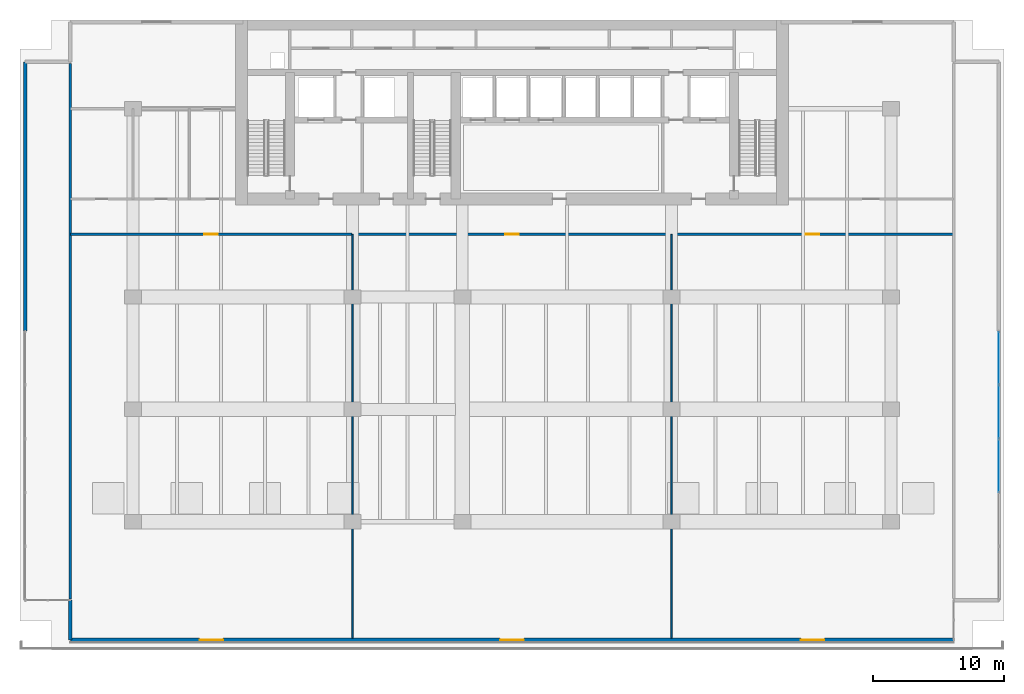
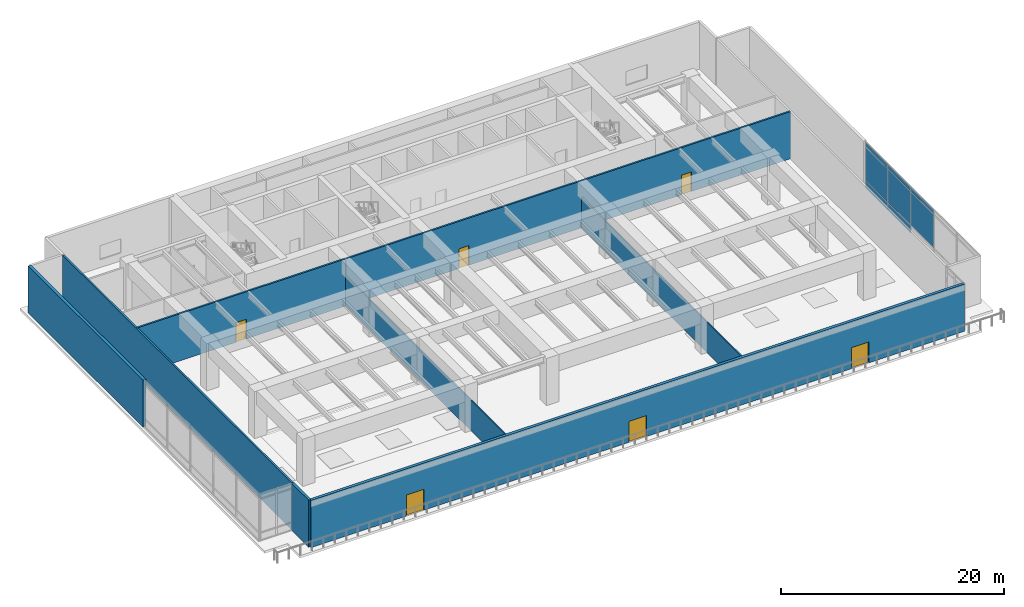
# One storey, part 6 of 12: 8 plates, 8 walls, 6 doors, 6 openings, 1 element without a shape of its own.
"""IFC4 building model written with IfcOpenShell, lengths in metres."""

from ifc_helpers import new_model, si_unit, direction, frame, frame_2d, origin, origin_2d, place, context, subcontext, project, spatial, rectangle, extrude, material, layer, layer_set, type_object, element, fill, aggregate, save


model = new_model("IFC4")

# Units and contexts
model_context = context("Model", 3, precision=1e-05, world=origin(), true_north=direction((0.0, 1.0)))
body_context = subcontext(model_context, "Body", "Model", "MODEL_VIEW")
ifc_project = project(units=[si_unit("LENGTHUNIT", "METRE"), si_unit("AREAUNIT", "SQUARE_METRE"), si_unit("VOLUMEUNIT", "CUBIC_METRE"), si_unit("PLANEANGLEUNIT", "RADIAN"), si_unit("MASSUNIT", "GRAM", prefix="KILO")], contexts=[model_context])

# Site, building, storey
site_placement = place(None, origin())
site = spatial("IfcSite", under=ifc_project, at=site_placement, CompositionType="ELEMENT")
building_placement = place(site_placement, origin())
building = spatial("IfcBuilding", under=site, at=building_placement, Name="Caelmar Bay Residences", CompositionType="ELEMENT")
storey_placement = place(building_placement, frame((0.0, 0.0, 24.60009765625)))
storey = spatial("IfcBuildingStorey", under=building, at=storey_placement, Name="L05", CompositionType="ELEMENT", Elevation=24.60009765625)

# Curtain wall, plates
ifc_material_1 = material(Name="Anodised bronze aluminium 6063-T6 and laminated glass", Category="aluminium")
ifc_layer_1 = layer(ifc_material_1, 0.179931640625)
ifc_layer_set_1 = layer_set([ifc_layer_1], Name="Anodised bronze aluminium 6063-T6 and laminated glass")
curtain_wall_type = type_object("IfcCurtainWallType", Name="CW1-POD", PredefinedType="NOTDEFINED", material=ifc_layer_set_1)
curtain_wall_placement = place(storey_placement, origin())
curtain_wall = element("IfcCurtainWall", 1, at=curtain_wall_placement, inside=storey, type_object=curtain_wall_type, Name="CW1 curtain wall L05", PredefinedType="NOTDEFINED")
ifc_material_2 = material(Name="Bronze-tinted laminated low-E hurricane glass 32 mm", Category="glass")
ifc_layer_2 = layer(ifc_material_2, 0.031982421875)
ifc_layer_set_2 = layer_set([ifc_layer_2], Name="Bronze-tinted laminated low-E hurricane glass 32 mm")
plate_type = type_object("IfcPlateType", Name="CWP-GLZ32", PredefinedType="CURTAIN_PANEL", material=ifc_layer_set_2)
plate_1_placement = place(storey_placement, frame((76.14990234375, 24.719970703125, 0.080078125), z_axis=(0.0, 0.0, 1.0), x_axis=(0.0, -1.0, 0.0)))
plate_1 = element("IfcPlate", 2, at=plate_1_placement, type_object=plate_type, Name="CW1 panel 1.1", PredefinedType="CURTAIN_PANEL", context=body_context, shape_type="SweptSolid", body=[
    extrude(rectangle(XDim=4.0, YDim=0.031982421875, at=origin_2d()), origin(), (0.0, 0.0, 1.0), 0.780029296875),
])
plate_2_placement = place(storey_placement, frame((76.14990234375, 24.719970703125, 0.93994140625), z_axis=(0.0, 0.0, 1.0), x_axis=(0.0, -1.0, 0.0)))
plate_2 = element("IfcPlate", 3, at=plate_2_placement, type_object=plate_type, Name="CW1 panel 1.2", PredefinedType="CURTAIN_PANEL", context=body_context, shape_type="SweptSolid", body=[
    extrude(rectangle(XDim=4.0, YDim=0.031982421875, at=origin_2d()), origin(), (0.0, 0.0, 1.0), 3.6201171875),
])
plate_3_placement = place(storey_placement, frame((76.14990234375, 24.719970703125, 4.64013671875), z_axis=(0.0, 0.0, 1.0), x_axis=(0.0, -1.0, 0.0)))
plate_3 = element("IfcPlate", 4, at=plate_3_placement, type_object=plate_type, Name="CW1 panel 1.3", PredefinedType="CURTAIN_PANEL", context=body_context, shape_type="SweptSolid", body=[
    extrude(rectangle(XDim=4.0, YDim=0.031982421875, at=origin_2d()), origin(), (0.0, 0.0, 1.0), 0.429931640625),
])
plate_4_placement = place(storey_placement, frame((76.14990234375, 20.6201171875, 0.080078125), z_axis=(0.0, 0.0, 1.0), x_axis=(0.0, -1.0, 0.0)))
plate_4 = element("IfcPlate", 5, at=plate_4_placement, type_object=plate_type, Name="CW1 panel 2.1", PredefinedType="CURTAIN_PANEL", context=body_context, shape_type="SweptSolid", body=[
    extrude(rectangle(XDim=4.0400390625, YDim=0.031982421875, at=origin_2d()), origin(), (0.0, 0.0, 1.0), 0.780029296875),
])
plate_5_placement = place(storey_placement, frame((76.14990234375, 20.6201171875, 0.93994140625), z_axis=(0.0, 0.0, 1.0), x_axis=(0.0, -1.0, 0.0)))
plate_5 = element("IfcPlate", 6, at=plate_5_placement, type_object=plate_type, Name="CW1 panel 2.2", PredefinedType="CURTAIN_PANEL", context=body_context, shape_type="SweptSolid", body=[
    extrude(rectangle(XDim=4.0400390625, YDim=0.031982421875, at=origin_2d()), origin(), (0.0, 0.0, 1.0), 3.6201171875),
])
plate_6_placement = place(storey_placement, frame((76.14990234375, 20.6201171875, 4.64013671875), z_axis=(0.0, 0.0, 1.0), x_axis=(0.0, -1.0, 0.0)))
plate_6 = element("IfcPlate", 7, at=plate_6_placement, type_object=plate_type, Name="CW1 panel 2.3", PredefinedType="CURTAIN_PANEL", context=body_context, shape_type="SweptSolid", body=[
    extrude(rectangle(XDim=4.0400390625, YDim=0.031982421875, at=origin_2d()), origin(), (0.0, 0.0, 1.0), 0.429931640625),
])
plate_7_placement = place(storey_placement, frame((76.14990234375, 16.5, 0.93994140625), z_axis=(0.0, 0.0, 1.0), x_axis=(0.0, -1.0, 0.0)))
plate_7 = element("IfcPlate", 8, at=plate_7_placement, type_object=plate_type, Name="CW1 panel 3.2", PredefinedType="CURTAIN_PANEL", context=body_context, shape_type="SweptSolid", body=[
    extrude(rectangle(XDim=4.0400390625, YDim=0.031982421875, at=origin_2d()), origin(), (0.0, 0.0, 1.0), 3.6201171875),
])
plate_8_placement = place(storey_placement, frame((76.14990234375, 16.5, 4.64013671875), z_axis=(0.0, 0.0, 1.0), x_axis=(0.0, -1.0, 0.0)))
plate_8 = element("IfcPlate", 9, at=plate_8_placement, type_object=plate_type, Name="CW1 panel 3.3", PredefinedType="CURTAIN_PANEL", context=body_context, shape_type="SweptSolid", body=[
    extrude(rectangle(XDim=4.0400390625, YDim=0.031982421875, at=origin_2d()), origin(), (0.0, 0.0, 1.0), 0.429931640625),
])
aggregate(curtain_wall, [plate_1, plate_2, plate_3, plate_4, plate_5, plate_6, plate_7, plate_8])

# Wall
ifc_material_3 = material(Name="Double-stud acoustic fire-rated gypsum partition 180 mm")
ifc_layer_3 = layer(ifc_material_3, 0.179931640625)
ifc_layer_set_3 = layer_set([ifc_layer_3], Name="Double-stud acoustic fire-rated gypsum partition 180 mm")
wall_type_1 = type_object("IfcWallType", Name="W-COR-200", PredefinedType="PARTITIONING", material=ifc_layer_set_3)
wall_1_placement = place(storey_placement, frame((5.10009765625, 6.284912109375, 0.0), z_axis=(0.0, 0.0, 1.0), x_axis=(0.0, 1.0, 0.0)))
element("IfcWall", 10, at=wall_1_placement, inside=storey, type_object=wall_type_1, Name="L05 Partition Wall V001", PredefinedType="PARTITIONING", context=body_context, shape_type="SweptSolid", body=[
    extrude(rectangle(XDim=40.9951171875, YDim=0.179931640625, at=frame_2d((20.49755859375, 0.0))), origin(), (0.0, 0.0, 1.0), 5.14990234375),
])

# Wall, opening, door
wall_2_placement = place(storey_placement, frame((5.10009765625, 34.199951171875, 0.0), z_axis=(0.0, 0.0, 1.0), x_axis=(1.0, 0.0, 0.0)))
wall_2 = element("IfcWall", 11, at=wall_2_placement, inside=storey, type_object=wall_type_1, Name="L05 Partition Wall H025", PredefinedType="PARTITIONING", context=body_context, shape_type="SweptSolid", body=[
    extrude(rectangle(XDim=21.5498046875, YDim=0.179931640625, at=frame_2d((10.77490234375, 0.0))), origin(), (0.0, 0.0, 1.0), 5.14990234375),
])
opening_1_placement = place(wall_2_placement, frame((10.25, 0.0, 0.0)))
opening_1 = element("IfcOpeningElement", 12, at=opening_1_placement, cuts=wall_2, Name="Opening D-L05-123", PredefinedType="OPENING", context=body_context, shape_type="SweptSolid", body=[
    extrude(rectangle(XDim=1.050048828125, YDim=2.14990234375, at=frame_2d((0.52490234375, 1.074951171875))), frame((0.0, 0.099853515625, 0.0), z_axis=(0.0, -1.0, 0.0), x_axis=(1.0, 0.0, 0.0)), (0.0, 0.0, 1.0), 0.199951171875),
])
ifc_material_4 = material(Name="Fire-rated steel and walnut architectural door assembly", Category="steel")
ifc_layer_4 = layer(ifc_material_4, 0.050048828125)
ifc_layer_set_4 = layer_set([ifc_layer_4], Name="Fire-rated steel and walnut architectural door assembly")
door_type_1 = type_object("IfcDoorType", Name="D-FSAE-1050", OperationType="NOTDEFINED", PredefinedType="DOOR", material=ifc_layer_set_4)
door_1_placement = place(opening_1_placement, origin())
door_1 = element("IfcDoor", 13, at=door_1_placement, inside=storey, type_object=door_type_1, Name="L05 Lap Pool Deck Hall Door", OperationType="SINGLE_SWING_RIGHT", OverallHeight=2.14990234375, OverallWidth=1.050048828125, PredefinedType="DOOR", context=body_context, shape_type="SweptSolid", body=[
    extrude(rectangle(XDim=1.050048828125, YDim=2.14990234375, at=frame_2d((0.52490234375, 1.074951171875))), frame((0.0, 0.02490234375, 0.0), z_axis=(0.0, -1.0, 0.0), x_axis=(1.0, 0.0, 0.0)), (0.0, 0.0, 1.0), 0.050048828125),
])
fill(opening_1, door_1)

# Wall, openings, doors
wall_3_placement = place(storey_placement, frame((26.699951171875, 34.199951171875, 0.0), z_axis=(0.0, 0.0, 1.0), x_axis=(1.0, 0.0, 0.0)))
wall_3 = element("IfcWall", 14, at=wall_3_placement, inside=storey, type_object=wall_type_1, Name="L05 Partition Wall H026", PredefinedType="PARTITIONING", context=body_context, shape_type="SweptSolid", body=[
    extrude(rectangle(XDim=46.0, YDim=0.179931640625, at=frame_2d((23.0, 0.0))), origin(), (0.0, 0.0, 1.0), 5.14990234375),
])
opening_2_placement = place(wall_3_placement, frame((11.675048828125, 0.0, 0.0)))
opening_2 = element("IfcOpeningElement", 15, at=opening_2_placement, cuts=wall_3, Name="Opening D-L05-124", PredefinedType="OPENING", context=body_context, shape_type="SweptSolid", body=[
    extrude(rectangle(XDim=1.050048828125, YDim=2.14990234375, at=frame_2d((0.52490234375, 1.074951171875))), frame((0.0, 0.099853515625, 0.0), z_axis=(0.0, -1.0, 0.0), x_axis=(1.0, 0.0, 0.0)), (0.0, 0.0, 1.0), 0.199951171875),
])
opening_3_placement = place(wall_3_placement, frame((34.675048828125, 0.0, 0.0)))
opening_3 = element("IfcOpeningElement", 16, at=opening_3_placement, cuts=wall_3, Name="Opening D-L05-125", PredefinedType="OPENING", context=body_context, shape_type="SweptSolid", body=[
    extrude(rectangle(XDim=1.050048828125, YDim=2.14990234375, at=frame_2d((0.52490234375, 1.074951171875))), frame((0.0, 0.099853515625, 0.0), z_axis=(0.0, -1.0, 0.0), x_axis=(1.0, 0.0, 0.0)), (0.0, 0.0, 1.0), 0.199951171875),
])
door_2_placement = place(opening_2_placement, origin())
door_2 = element("IfcDoor", 17, at=door_2_placement, inside=storey, type_object=door_type_1, Name="L05 Hydrotherapy Spa Suite Door", OperationType="SINGLE_SWING_LEFT", OverallHeight=2.14990234375, OverallWidth=1.050048828125, PredefinedType="DOOR", context=body_context, shape_type="SweptSolid", body=[
    extrude(rectangle(XDim=1.050048828125, YDim=2.14990234375, at=frame_2d((0.52490234375, 1.074951171875))), frame((0.0, 0.02490234375, 0.0), z_axis=(0.0, -1.0, 0.0), x_axis=(1.0, 0.0, 0.0)), (0.0, 0.0, 1.0), 0.050048828125),
])
fill(opening_2, door_2)
door_3_placement = place(opening_3_placement, origin())
door_3 = element("IfcDoor", 18, at=door_3_placement, inside=storey, type_object=door_type_1, Name="L05 Fitness Gym Studio Door", OperationType="SINGLE_SWING_RIGHT", OverallHeight=2.14990234375, OverallWidth=1.050048828125, PredefinedType="DOOR", context=body_context, shape_type="SweptSolid", body=[
    extrude(rectangle(XDim=1.050048828125, YDim=2.14990234375, at=frame_2d((0.52490234375, 1.074951171875))), frame((0.0, 0.02490234375, 0.0), z_axis=(0.0, -1.0, 0.0), x_axis=(1.0, 0.0, 0.0)), (0.0, 0.0, 1.0), 0.050048828125),
])
fill(opening_3, door_3)

# Wall
ifc_material_5 = material(Name="Precast concrete f'c 40 MPa (6,000 psi)", Category="concrete")
ifc_layer_5 = layer(ifc_material_5, 0.25)
ifc_layer_set_5 = layer_set([ifc_layer_5], Name="Precast concrete f'c 40 MPa (6,000 psi)")
wall_type_2 = type_object("IfcWallType", Name="W-EXT-250", PredefinedType="ELEMENTEDWALL", material=ifc_layer_set_5)
wall_4_placement = place(storey_placement, frame((5.10009765625, 6.199951171875, 0.0), z_axis=(0.0, 0.0, 1.0), x_axis=(0.0, -1.0, 0.0)))
element("IfcWall", 19, at=wall_4_placement, inside=storey, type_object=wall_type_2, Name="L05 SW Notch Return Wall", PredefinedType="ELEMENTEDWALL", context=body_context, shape_type="SweptSolid", body=[
    extrude(rectangle(XDim=3.050048828125, YDim=0.25, at=frame_2d((1.52490234375, 0.0))), origin(), (0.0, 0.0, 1.0), 5.14990234375),
])

# Wall, openings, doors
ifc_layer_6 = layer(ifc_material_5, 0.300048828125)
ifc_layer_set_6 = layer_set([ifc_layer_6], Name="Precast concrete f'c 40 MPa (6,000 psi)")
wall_type_3 = type_object("IfcWallType", Name="W-EXT-300", PredefinedType="STANDARD", material=ifc_layer_set_6)
wall_5_placement = place(storey_placement, frame((72.699951171875, 3.14990234375, 0.0), z_axis=(0.0, 0.0, 1.0), x_axis=(-1.0, 0.0, 0.0)))
wall_5 = element("IfcWall", 20, at=wall_5_placement, inside=storey, type_object=wall_type_3, Name="L05 South Bayfront Exterior Wall", PredefinedType="STANDARD", context=body_context, shape_type="SweptSolid", body=[
    extrude(rectangle(XDim=67.599853515625, YDim=0.300048828125, at=frame_2d((33.7998046875, 0.0))), origin(), (0.0, 0.0, 1.0), 5.14990234375),
])
opening_4_placement = place(wall_5_placement, frame((55.89990234375, 0.0, 0.0)))
opening_4 = element("IfcOpeningElement", 21, at=opening_4_placement, cuts=wall_5, Name="Opening L05-TD01", PredefinedType="OPENING", context=body_context, shape_type="SweptSolid", body=[
    extrude(rectangle(XDim=1.800048828125, YDim=2.300048828125, at=frame_2d((0.89990234375, 1.14990234375))), frame((0.0, 0.159912109375, 0.0), z_axis=(0.0, -1.0, 0.0), x_axis=(1.0, 0.0, 0.0)), (0.0, 0.0, 1.0), 0.320068359375),
])
opening_5_placement = place(wall_5_placement, frame((32.89990234375, 0.0, 0.0)))
opening_5 = element("IfcOpeningElement", 22, at=opening_5_placement, cuts=wall_5, Name="Opening L05-TD02", PredefinedType="OPENING", context=body_context, shape_type="SweptSolid", body=[
    extrude(rectangle(XDim=1.800048828125, YDim=2.300048828125, at=frame_2d((0.89990234375, 1.14990234375))), frame((0.0, 0.159912109375, 0.0), z_axis=(0.0, -1.0, 0.0), x_axis=(1.0, 0.0, 0.0)), (0.0, 0.0, 1.0), 0.320068359375),
])
opening_6_placement = place(wall_5_placement, frame((9.89990234375, 0.0, 0.0)))
opening_6 = element("IfcOpeningElement", 23, at=opening_6_placement, cuts=wall_5, Name="Opening L05-TD03", PredefinedType="OPENING", context=body_context, shape_type="SweptSolid", body=[
    extrude(rectangle(XDim=1.800048828125, YDim=2.300048828125, at=frame_2d((0.89990234375, 1.14990234375))), frame((0.0, 0.159912109375, 0.0), z_axis=(0.0, -1.0, 0.0), x_axis=(1.0, 0.0, 0.0)), (0.0, 0.0, 1.0), 0.320068359375),
])
ifc_material_6 = material(Name="Anodised bronze sliding terrace door")
ifc_layer_7 = layer(ifc_material_6, 0.050048828125)
ifc_layer_set_7 = layer_set([ifc_layer_7], Name="Anodised bronze sliding terrace door")
door_type_2 = type_object("IfcDoorType", Name="D-TER-1800", OperationType="DOUBLE_DOOR_SLIDING", PredefinedType="DOOR", material=ifc_layer_set_7)
door_4_placement = place(opening_4_placement, origin())
door_4 = element("IfcDoor", 24, at=door_4_placement, inside=storey, type_object=door_type_2, Name="L05 Podium Terrace Door", OperationType="DOUBLE_DOOR_SLIDING", OverallHeight=2.300048828125, OverallWidth=1.800048828125, PredefinedType="DOOR", context=body_context, shape_type="SweptSolid", body=[
    extrude(rectangle(XDim=1.800048828125, YDim=2.300048828125, at=frame_2d((0.89990234375, 1.14990234375))), frame((0.0, 0.02490234375, 0.0), z_axis=(0.0, -1.0, 0.0), x_axis=(1.0, 0.0, 0.0)), (0.0, 0.0, 1.0), 0.050048828125),
])
fill(opening_4, door_4)
door_5_placement = place(opening_5_placement, origin())
door_5 = element("IfcDoor", 25, at=door_5_placement, inside=storey, type_object=door_type_2, Name="L05 Podium Terrace Door", OperationType="DOUBLE_DOOR_SLIDING", OverallHeight=2.300048828125, OverallWidth=1.800048828125, PredefinedType="DOOR", context=body_context, shape_type="SweptSolid", body=[
    extrude(rectangle(XDim=1.800048828125, YDim=2.300048828125, at=frame_2d((0.89990234375, 1.14990234375))), frame((0.0, 0.02490234375, 0.0), z_axis=(0.0, -1.0, 0.0), x_axis=(1.0, 0.0, 0.0)), (0.0, 0.0, 1.0), 0.050048828125),
])
fill(opening_5, door_5)
door_6_placement = place(opening_6_placement, origin())
door_6 = element("IfcDoor", 26, at=door_6_placement, inside=storey, type_object=door_type_2, Name="L05 Podium Terrace Door", OperationType="DOUBLE_DOOR_SLIDING", OverallHeight=2.300048828125, OverallWidth=1.800048828125, PredefinedType="DOOR", context=body_context, shape_type="SweptSolid", body=[
    extrude(rectangle(XDim=1.800048828125, YDim=2.300048828125, at=frame_2d((0.89990234375, 1.14990234375))), frame((0.0, 0.02490234375, 0.0), z_axis=(0.0, -1.0, 0.0), x_axis=(1.0, 0.0, 0.0)), (0.0, 0.0, 1.0), 0.050048828125),
])
fill(opening_6, door_6)

# Walls
wall_6_placement = place(storey_placement, frame((1.64990234375, 26.800048828125, 0.0), z_axis=(0.0, 0.0, 1.0), x_axis=(0.0, 1.0, 0.0)))
element("IfcWall", 27, at=wall_6_placement, inside=storey, type_object=wall_type_3, Name="L05 West Rear Exterior Wall", PredefinedType="STANDARD", context=body_context, shape_type="SweptSolid", body=[
    extrude(rectangle(XDim=20.599853515625, YDim=0.300048828125, at=frame_2d((10.2998046875, 0.0))), origin(), (0.0, 0.0, 1.0), 5.14990234375),
])
ifc_material_7 = material(Name="Acoustic metal-stud gypsum partition 120 mm")
ifc_layer_8 = layer(ifc_material_7, 0.1201171875)
ifc_layer_set_8 = layer_set([ifc_layer_8], Name="Acoustic metal-stud gypsum partition 120 mm")
wall_type_4 = type_object("IfcWallType", Name="W-PRT-120", PredefinedType="PARTITIONING", material=ifc_layer_set_8)
for number, where, z_axis, x_axis, name in (
    (28, (26.699951171875, 3.294921875, 0.0), (0.0, 0.0, 1.0), (0.0, 1.0, 0.0), "L05 Partition Wall V007"),
    (29, (51.10009765625, 3.294921875, 0.0), (0.0, 0.0, 1.0), (0.0, 1.0, 0.0), "L05 Partition Wall V020"),
):
    element("IfcWall", number, at=place(storey_placement, frame(where, z_axis=z_axis, x_axis=x_axis)), inside=storey, type_object=wall_type_4, Name=name, PredefinedType="PARTITIONING", context=body_context, shape_type="SweptSolid", body=[
        extrude(rectangle(XDim=30.905029296875, YDim=0.1201171875, at=frame_2d((15.45263671875, 0.0))), origin(), (0.0, 0.0, 1.0), 3.3349609375),
    ])

save(model, "model.ifc")
